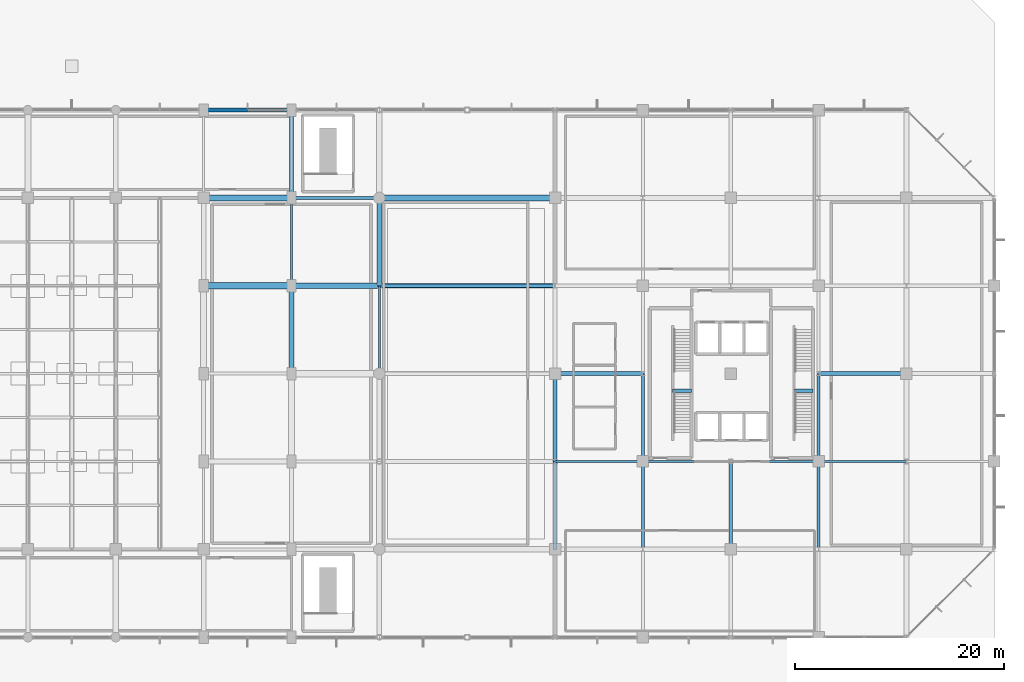
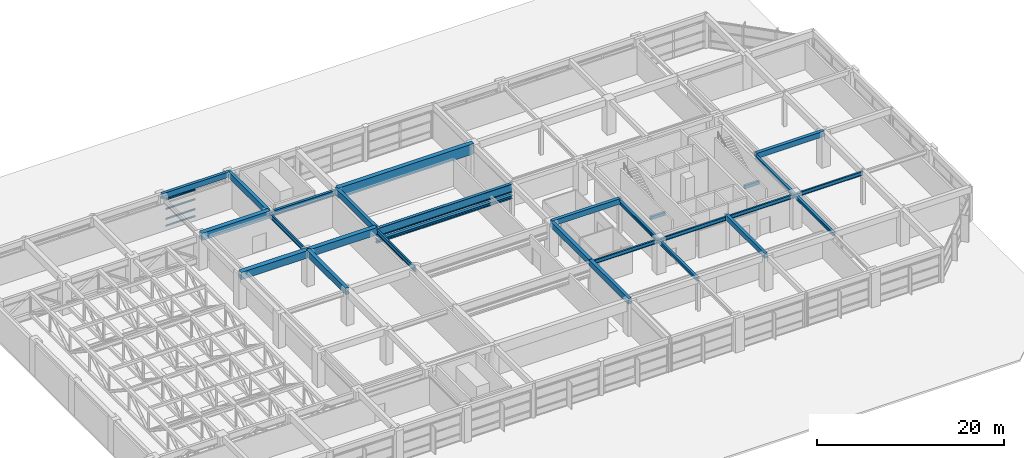
# One storey, part 30 of 47: 27 beams, 5 members, 1 element without a shape of its own.
"""IFC4 building model written with IfcOpenShell, lengths in metres."""

from ifc_helpers import new_model, si_unit, direction, frame, origin, origin_2d, place, context, subcontext, project, spatial, rectangle, i_section, extrude, material, material_profile, profile_set, type_object, element, aggregate, save


model = new_model("IFC4")

# Units and contexts
model_context = context("Model", 3, precision=1e-05, world=origin(), true_north=direction((0.0, 1.0)))
body_context = subcontext(model_context, "Body", "Model", "MODEL_VIEW")
ifc_project = project(units=[si_unit("LENGTHUNIT", "METRE"), si_unit("AREAUNIT", "SQUARE_METRE"), si_unit("VOLUMEUNIT", "CUBIC_METRE"), si_unit("PLANEANGLEUNIT", "RADIAN"), si_unit("MASSUNIT", "GRAM", prefix="KILO")], contexts=[model_context])

# Site, building, storey
site_placement = place(None, origin())
site = spatial("IfcSite", under=ifc_project, at=site_placement, CompositionType="ELEMENT")
building_placement = place(site_placement, origin())
building = spatial("IfcBuilding", under=site, at=building_placement, Name="Xuanlan Plaza Opera House", CompositionType="ELEMENT")
storey_placement = place(building_placement, frame((0.0, 0.0, 23.39990234375)))
storey = spatial("IfcBuildingStorey", under=building, at=storey_placement, Name="L05", CompositionType="ELEMENT", Elevation=23.39990234375)

# Curtain wall, members
ifc_material_1 = material(Name="Anodised Aluminium 6063-T6 and Low-E Glass", Category="aluminium")
curtain_wall_type = type_object("IfcCurtainWallType", Name="ENV-CW-CW-06", PredefinedType="USERDEFINED", material=ifc_material_1)
curtain_wall_placement = place(storey_placement, origin())
curtain_wall = element("IfcCurtainWall", 1, at=curtain_wall_placement, inside=storey, type_object=curtain_wall_type, Name="Acoustic Glazed Wall L05-029", ObjectType="ACOUSTIC GLAZED WALL", PredefinedType="USERDEFINED")
ifc_material_2 = material(Name="Anodised Aluminium 6063-T6", Category="aluminium")
ifc_material_profile_1 = material_profile(ifc_material_2, rectangle(XDim=0.090087890625, YDim=0.179931640625, at=origin_2d()), Name="ALU-T 90x180")
ifc_profile_set_1 = profile_set([ifc_material_profile_1], Name="Anodised Aluminium 6063-T6")
member_type_1 = type_object("IfcMemberType", Name="ENV-CWT-05", PredefinedType="USERDEFINED", material=ifc_profile_set_1)
member_1_placement = place(storey_placement, frame((96.5673828125, 84.0, 0.045166015625), z_axis=(-1.0, 0.0, 0.0), x_axis=(0.0, -1.0, 0.0)))
member_1 = element("IfcMember", 2, at=member_1_placement, type_object=member_type_1, Name="CW-06 transom 2.1", ObjectType="TRANSOM", PredefinedType="USERDEFINED", context=body_context, shape_type="SweptSolid", body=[
    extrude(rectangle(XDim=0.090087890625, YDim=0.179931640625, at=origin_2d()), origin(), (0.0, 0.0, 1.0), 3.63232421875),
])
member_2_placement = place(storey_placement, frame((96.5673828125, 84.0, 0.9501953125), z_axis=(-1.0, 0.0, 0.0), x_axis=(0.0, -1.0, 0.0)))
member_2 = element("IfcMember", 3, at=member_2_placement, type_object=member_type_1, Name="CW-06 transom 2.2", ObjectType="TRANSOM", PredefinedType="USERDEFINED", context=body_context, shape_type="SweptSolid", body=[
    extrude(rectangle(XDim=0.090087890625, YDim=0.179931640625, at=origin_2d()), origin(), (0.0, 0.0, 1.0), 3.63232421875),
])
member_3_placement = place(storey_placement, frame((96.5673828125, 84.0, 2.25), z_axis=(-1.0, 0.0, 0.0), x_axis=(0.0, -1.0, 0.0)))
member_3 = element("IfcMember", 4, at=member_3_placement, type_object=member_type_1, Name="CW-06 transom 2.3", ObjectType="TRANSOM", PredefinedType="USERDEFINED", context=body_context, shape_type="SweptSolid", body=[
    extrude(rectangle(XDim=0.090087890625, YDim=0.179931640625, at=origin_2d()), origin(), (0.0, 0.0, 1.0), 3.63232421875),
])
member_4_placement = place(storey_placement, frame((96.5673828125, 84.0, 3.4951171875), z_axis=(-1.0, 0.0, 0.0), x_axis=(0.0, -1.0, 0.0)))
member_4 = element("IfcMember", 5, at=member_4_placement, type_object=member_type_1, Name="CW-06 transom 2.4", ObjectType="TRANSOM", PredefinedType="USERDEFINED", context=body_context, shape_type="SweptSolid", body=[
    extrude(rectangle(XDim=0.090087890625, YDim=0.179931640625, at=origin_2d()), origin(), (0.0, 0.0, 1.0), 3.63232421875),
])
aggregate(curtain_wall, [member_1, member_2, member_3, member_4])

# Beams
ifc_material_3 = material(Name="Concrete C50", Category="concrete")
ifc_material_profile_2 = material_profile(ifc_material_3, rectangle(XDim=0.60009765625, YDim=0.949951171875, at=origin_2d()), Name="RC-BM 600x950")
ifc_profile_set_2 = profile_set([ifc_material_profile_2], Name="Concrete C50")
beam_type_1 = type_object("IfcBeamType", Name="STR-BM-B-01", PredefinedType="BEAM", material=ifc_profile_set_2)
beam_1_placement = place(storey_placement, frame((92.39990234375, 67.199951171875, 4.025146484375), z_axis=(1.0, 0.0, 0.0), x_axis=(0.0, 1.0, 0.0)))
element("IfcBeam", 6, at=beam_1_placement, inside=storey, type_object=beam_type_1, Name="Grid Beam X L05 12-13/I", PredefinedType="BEAM", context=body_context, shape_type="SweptSolid", body=[
    extrude(rectangle(XDim=0.60009765625, YDim=0.949951171875, at=origin_2d()), origin(), (0.0, 0.0, 1.0), 8.400146484375),
])
ifc_material_profile_3 = material_profile(ifc_material_3, rectangle(XDim=0.550048828125, YDim=0.949951171875, at=origin_2d()), Name="RC-BM 550x950")
ifc_profile_set_3 = profile_set([ifc_material_profile_3], Name="Concrete C50")
beam_type_2 = type_object("IfcBeamType", Name="STR-BM-B-02", PredefinedType="BEAM", material=ifc_profile_set_3)
beam_2_placement = place(storey_placement, frame((100.800048828125, 67.199951171875, 4.025146484375), z_axis=(1.0, 0.0, 0.0), x_axis=(0.0, 1.0, 0.0)))
element("IfcBeam", 7, at=beam_2_placement, inside=storey, type_object=beam_type_2, Name="Grid Beam X L05 13-14/I", PredefinedType="BEAM", context=body_context, shape_type="SweptSolid", body=[
    extrude(rectangle(XDim=0.550048828125, YDim=0.949951171875, at=origin_2d()), origin(), (0.0, 0.0, 1.0), 8.39990234375),
])
beam_3_placement = place(storey_placement, frame((92.39990234375, 75.60009765625, 4.025146484375), z_axis=(1.0, 0.0, 0.0), x_axis=(0.0, 1.0, 0.0)))
element("IfcBeam", 8, at=beam_3_placement, inside=storey, type_object=beam_type_2, Name="Grid Beam X L05 12-13/J", PredefinedType="BEAM", context=body_context, shape_type="SweptSolid", body=[
    extrude(rectangle(XDim=0.550048828125, YDim=0.949951171875, at=origin_2d()), origin(), (0.0, 0.0, 1.0), 8.400146484375),
])
ifc_material_4 = material(Name="Concrete C40", Category="concrete")
ifc_material_profile_4 = material_profile(ifc_material_4, rectangle(XDim=0.449951171875, YDim=0.85009765625, at=origin_2d()), Name="RC-BM 450x850")
ifc_profile_set_4 = profile_set([ifc_material_profile_4], Name="Concrete C40")
beam_type_3 = type_object("IfcBeamType", Name="STR-BM-B-04", PredefinedType="BEAM", material=ifc_profile_set_4)
beam_4_placement = place(storey_placement, frame((100.800048828125, 58.800048828125, 4.0751953125), z_axis=(0.0, 1.0, 0.0), x_axis=(-1.0, 0.0, 0.0)))
element("IfcBeam", 9, at=beam_4_placement, inside=storey, type_object=beam_type_3, Name="Grid Beam Y L05 13/H-I", PredefinedType="BEAM", context=body_context, shape_type="SweptSolid", body=[
    extrude(rectangle(XDim=0.449951171875, YDim=0.85009765625, at=origin_2d()), origin(), (0.0, 0.0, 1.0), 8.39990234375),
])
ifc_material_profile_5 = material_profile(ifc_material_4, rectangle(XDim=0.39990234375, YDim=0.75, at=origin_2d()), Name="RC-BM 400x750")
ifc_profile_set_5 = profile_set([ifc_material_profile_5], Name="Concrete C40")
beam_type_4 = type_object("IfcBeamType", Name="STR-BM-B-06", PredefinedType="BEAM", material=ifc_profile_set_5)
beam_5_placement = place(storey_placement, frame((100.800048828125, 75.60009765625, 4.125), z_axis=(0.0, 1.0, 0.0), x_axis=(-1.0, 0.0, 0.0)))
element("IfcBeam", 10, at=beam_5_placement, inside=storey, type_object=beam_type_4, Name="Grid Beam Y L05 13/J-K", PredefinedType="BEAM", context=body_context, shape_type="SweptSolid", body=[
    extrude(rectangle(XDim=0.39990234375, YDim=0.75, at=origin_2d()), origin(), (0.0, 0.0, 1.0), 8.39990234375),
])
beam_6_placement = place(storey_placement, frame((109.199951171875, 67.199951171875, 4.125), z_axis=(0.0, 1.0, 0.0), x_axis=(-1.0, 0.0, 0.0)))
element("IfcBeam", 11, at=beam_6_placement, inside=storey, type_object=beam_type_4, Name="Grid Beam Y L05 14/I-J", PredefinedType="BEAM", context=body_context, shape_type="SweptSolid", body=[
    extrude(rectangle(XDim=0.39990234375, YDim=0.75, at=origin_2d()), origin(), (0.0, 0.0, 1.0), 8.400146484375),
])
beam_7_placement = place(storey_placement, frame((126.0, 42.0, 4.125), z_axis=(0.0, 1.0, 0.0), x_axis=(-1.0, 0.0, 0.0)))
element("IfcBeam", 12, at=beam_7_placement, inside=storey, type_object=beam_type_4, Name="Grid Beam Y L05 16/F-G", PredefinedType="BEAM", context=body_context, shape_type="SweptSolid", body=[
    extrude(rectangle(XDim=0.39990234375, YDim=0.75, at=origin_2d()), origin(), (0.0, 0.0, 1.0), 8.39990234375),
])
beam_8_placement = place(storey_placement, frame((126.0, 50.39990234375, 4.125), z_axis=(0.0, 1.0, 0.0), x_axis=(-1.0, 0.0, 0.0)))
element("IfcBeam", 13, at=beam_8_placement, inside=storey, type_object=beam_type_4, Name="Grid Beam Y L05 16/G-H", PredefinedType="BEAM", context=body_context, shape_type="SweptSolid", body=[
    extrude(rectangle(XDim=0.39990234375, YDim=0.75, at=origin_2d()), origin(), (0.0, 0.0, 1.0), 8.400146484375),
])
ifc_material_profile_6 = material_profile(ifc_material_4, rectangle(XDim=0.39990234375, YDim=0.699951171875, at=origin_2d()), Name="RC-BM 400x700")
ifc_profile_set_6 = profile_set([ifc_material_profile_6], Name="Concrete C40")
beam_type_5 = type_object("IfcBeamType", Name="STR-BM-B-07", PredefinedType="BEAM", material=ifc_profile_set_6)
beam_9_placement = place(storey_placement, frame((126.0, 58.800048828125, 4.150146484375), z_axis=(1.0, 0.0, 0.0), x_axis=(0.0, 1.0, 0.0)))
element("IfcBeam", 14, at=beam_9_placement, inside=storey, type_object=beam_type_5, Name="Grid Beam X L05 16-17/H", PredefinedType="BEAM", context=body_context, shape_type="SweptSolid", body=[
    extrude(rectangle(XDim=0.39990234375, YDim=0.699951171875, at=origin_2d()), origin(), (0.0, 0.0, 1.0), 8.39990234375),
])
beam_10_placement = place(storey_placement, frame((151.199951171875, 58.800048828125, 4.150146484375), z_axis=(1.0, 0.0, 0.0), x_axis=(0.0, 1.0, 0.0)))
element("IfcBeam", 15, at=beam_10_placement, inside=storey, type_object=beam_type_5, Name="Grid Beam X L05 19-20/H", PredefinedType="BEAM", context=body_context, shape_type="SweptSolid", body=[
    extrude(rectangle(XDim=0.39990234375, YDim=0.699951171875, at=origin_2d()), origin(), (0.0, 0.0, 1.0), 8.400146484375),
])
ifc_material_profile_7 = material_profile(ifc_material_4, rectangle(XDim=0.35009765625, YDim=0.64990234375, at=origin_2d()), Name="RC-BM 350x650")
ifc_profile_set_7 = profile_set([ifc_material_profile_7], Name="Concrete C40")
beam_type_6 = type_object("IfcBeamType", Name="STR-BM-B-08", PredefinedType="BEAM", material=ifc_profile_set_7)
beam_11_placement = place(storey_placement, frame((142.800048828125, 42.0, 4.175048828125), z_axis=(0.0, 1.0, 0.0), x_axis=(-1.0, 0.0, 0.0)))
element("IfcBeam", 16, at=beam_11_placement, inside=storey, type_object=beam_type_6, Name="Grid Beam Y L05 18/F-G", PredefinedType="BEAM", context=body_context, shape_type="SweptSolid", body=[
    extrude(rectangle(XDim=0.35009765625, YDim=0.64990234375, at=origin_2d()), origin(), (0.0, 0.0, 1.0), 8.39990234375),
])
ifc_material_5 = material(Name="Steel Q390B", Category="steel")
ifc_material_profile_8 = material_profile(ifc_material_5, i_section(OverallWidth=0.35009765625, OverallDepth=1.10009765625, WebThickness=0.01806640625, FlangeThickness=0.031982421875, FilletRadius=0.028076171875, at=origin_2d()), Name="HN 1100x350x18x32")
ifc_profile_set_8 = profile_set([ifc_material_profile_8], Name="Steel Q390B")
beam_type_7 = type_object("IfcBeamType", Name="STR-BM-LG-02", PredefinedType="BEAM", material=ifc_profile_set_8)
beam_12_placement = place(storey_placement, frame((109.199951171875, 67.199951171875, 3.705078125), z_axis=(1.0, 0.0, 0.0), x_axis=(0.0, 1.0, 0.0)))
element("IfcBeam", 17, at=beam_12_placement, inside=storey, type_object=beam_type_7, Name="Grid Beam X L05 14-16/I", PredefinedType="BEAM", context=body_context, shape_type="SweptSolid", body=[
    extrude(i_section(OverallWidth=0.35009765625, OverallDepth=1.10009765625, WebThickness=0.01806640625, FlangeThickness=0.031982421875, FilletRadius=0.028076171875, at=origin_2d()), origin(), (0.0, 0.0, 1.0), 16.800048828125),
])
ifc_material_profile_9 = material_profile(ifc_material_3, rectangle(XDim=0.550048828125, YDim=1.35009765625, at=origin_2d()), Name="RC-SPD 550x1350")
ifc_profile_set_9 = profile_set([ifc_material_profile_9], Name="Concrete C50")
beam_type_8 = type_object("IfcBeamType", Name="STR-BM-LG-SP1", PredefinedType="SPANDREL", material=ifc_profile_set_9)
beam_13_placement = place(storey_placement, frame((109.199951171875, 75.60009765625, 3.8251953125), z_axis=(1.0, 0.0, 0.0), x_axis=(0.0, 1.0, 0.0)))
element("IfcBeam", 18, at=beam_13_placement, inside=storey, type_object=beam_type_8, Name="Grid Beam X L05 14-16/J", PredefinedType="SPANDREL", context=body_context, shape_type="SweptSolid", body=[
    extrude(rectangle(XDim=0.550048828125, YDim=1.35009765625, at=origin_2d()), origin(), (0.0, 0.0, 1.0), 16.800048828125),
])
ifc_material_profile_10 = material_profile(ifc_material_4, rectangle(XDim=0.300048828125, YDim=0.39990234375, at=origin_2d()), Name="RC-LNT 300x400")
ifc_profile_set_10 = profile_set([ifc_material_profile_10], Name="Concrete C40")
beam_type_9 = type_object("IfcBeamType", Name="STR-BM-LN-01", PredefinedType="LINTEL", material=ifc_profile_set_10)
beam_14_placement = place(storey_placement, frame((137.25, 57.159912109375, 1.85009765625), z_axis=(1.0, 0.0, 0.0), x_axis=(0.0, 1.0, 0.0)))
element("IfcBeam", 19, at=beam_14_placement, inside=storey, type_object=beam_type_9, Name="Stair Mid-Landing Trimmer Beam ST-T1 L05", PredefinedType="LINTEL", context=body_context, shape_type="SweptSolid", body=[
    extrude(rectangle(XDim=0.300048828125, YDim=0.39990234375, at=origin_2d()), origin(), (0.0, 0.0, 1.0), 1.800048828125),
])
beam_15_placement = place(storey_placement, frame((148.85009765625, 57.159912109375, 1.85009765625), z_axis=(1.0, 0.0, 0.0), x_axis=(0.0, 1.0, 0.0)))
element("IfcBeam", 20, at=beam_15_placement, inside=storey, type_object=beam_type_9, Name="Stair Mid-Landing Trimmer Beam ST-T2 L05", PredefinedType="LINTEL", context=body_context, shape_type="SweptSolid", body=[
    extrude(rectangle(XDim=0.300048828125, YDim=0.39990234375, at=origin_2d()), origin(), (0.0, 0.0, 1.0), 1.7998046875),
])
ifc_material_6 = material(Name="Steel Q355B", Category="steel")
ifc_material_profile_11 = material_profile(ifc_material_6, i_section(OverallWidth=0.300048828125, OverallDepth=0.699951171875, WebThickness=0.012939453125, FlangeThickness=0.02392578125, FilletRadius=0.02392578125, at=origin_2d()), Name="HN 700x300x13x24")
ifc_profile_set_11 = profile_set([ifc_material_profile_11], Name="Steel Q355B")
beam_type_10 = type_object("IfcBeamType", Name="STR-BM-SB-03", PredefinedType="BEAM", material=ifc_profile_set_11)
beam_16_placement = place(storey_placement, frame((100.800048828125, 75.60009765625, 3.905029296875), z_axis=(1.0, 0.0, 0.0), x_axis=(0.0, 1.0, 0.0)))
element("IfcBeam", 21, at=beam_16_placement, inside=storey, type_object=beam_type_10, Name="Grid Beam X L05 13-14/J", PredefinedType="BEAM", context=body_context, shape_type="SweptSolid", body=[
    extrude(i_section(OverallWidth=0.300048828125, OverallDepth=0.699951171875, WebThickness=0.012939453125, FlangeThickness=0.02392578125, FilletRadius=0.02392578125, at=origin_2d()), origin(), (0.0, 0.0, 1.0), 8.39990234375),
])
ifc_material_profile_12 = material_profile(ifc_material_6, i_section(OverallWidth=0.199951171875, OverallDepth=0.60009765625, WebThickness=0.010986328125, FlangeThickness=0.01708984375, FilletRadius=0.02197265625, at=origin_2d()), Name="HN 600x200x11x17")
ifc_profile_set_12 = profile_set([ifc_material_profile_12], Name="Steel Q355B")
beam_type_11 = type_object("IfcBeamType", Name="STR-BM-SB-04", PredefinedType="BEAM", material=ifc_profile_set_12)
beam_17_placement = place(storey_placement, frame((100.800048828125, 67.199951171875, 3.955078125), z_axis=(0.0, 1.0, 0.0), x_axis=(-1.0, 0.0, 0.0)))
element("IfcBeam", 22, at=beam_17_placement, inside=storey, type_object=beam_type_11, Name="Grid Beam Y L05 13/I-J", PredefinedType="BEAM", context=body_context, shape_type="SweptSolid", body=[
    extrude(i_section(OverallWidth=0.199951171875, OverallDepth=0.60009765625, WebThickness=0.010986328125, FlangeThickness=0.01708984375, FilletRadius=0.02197265625, at=origin_2d()), origin(), (0.0, 0.0, 1.0), 8.400146484375),
])
beam_18_placement = place(storey_placement, frame((109.199951171875, 58.800048828125, 3.955078125), z_axis=(0.0, 1.0, 0.0), x_axis=(-1.0, 0.0, 0.0)))
element("IfcBeam", 23, at=beam_18_placement, inside=storey, type_object=beam_type_11, Name="Grid Beam Y L05 14/H-I", PredefinedType="BEAM", context=body_context, shape_type="SweptSolid", body=[
    extrude(i_section(OverallWidth=0.199951171875, OverallDepth=0.60009765625, WebThickness=0.010986328125, FlangeThickness=0.01708984375, FilletRadius=0.02197265625, at=origin_2d()), origin(), (0.0, 0.0, 1.0), 8.39990234375),
])
ifc_material_profile_13 = material_profile(ifc_material_6, i_section(OverallWidth=0.199951171875, OverallDepth=0.5, WebThickness=0.010009765625, FlangeThickness=0.01611328125, FilletRadius=0.02001953125, at=origin_2d()), Name="HN 500x200x10x16")
ifc_profile_set_13 = profile_set([ifc_material_profile_13], Name="Steel Q355B")
beam_type_12 = type_object("IfcBeamType", Name="STR-BM-SB-05", PredefinedType="BEAM", material=ifc_profile_set_13)
beam_19_placement = place(storey_placement, frame((126.0, 50.39990234375, 4.005126953125), z_axis=(1.0, 0.0, 0.0), x_axis=(0.0, 1.0, 0.0)))
element("IfcBeam", 24, at=beam_19_placement, inside=storey, type_object=beam_type_12, Name="Grid Beam X L05 16-17/G", PredefinedType="BEAM", context=body_context, shape_type="SweptSolid", body=[
    extrude(i_section(OverallWidth=0.199951171875, OverallDepth=0.5, WebThickness=0.010009765625, FlangeThickness=0.01611328125, FilletRadius=0.02001953125, at=origin_2d()), origin(), (0.0, 0.0, 1.0), 8.39990234375),
])
beam_20_placement = place(storey_placement, frame((134.39990234375, 50.39990234375, 4.005126953125), z_axis=(1.0, 0.0, 0.0), x_axis=(0.0, 1.0, 0.0)))
element("IfcBeam", 25, at=beam_20_placement, inside=storey, type_object=beam_type_12, Name="Grid Beam X L05 17-18/G", PredefinedType="BEAM", context=body_context, shape_type="SweptSolid", body=[
    extrude(i_section(OverallWidth=0.199951171875, OverallDepth=0.5, WebThickness=0.010009765625, FlangeThickness=0.01611328125, FilletRadius=0.02001953125, at=origin_2d()), origin(), (0.0, 0.0, 1.0), 8.400146484375),
])
beam_21_placement = place(storey_placement, frame((142.800048828125, 50.39990234375, 4.005126953125), z_axis=(1.0, 0.0, 0.0), x_axis=(0.0, 1.0, 0.0)))
element("IfcBeam", 26, at=beam_21_placement, inside=storey, type_object=beam_type_12, Name="Grid Beam X L05 18-19/G", PredefinedType="BEAM", context=body_context, shape_type="SweptSolid", body=[
    extrude(i_section(OverallWidth=0.199951171875, OverallDepth=0.5, WebThickness=0.010009765625, FlangeThickness=0.01611328125, FilletRadius=0.02001953125, at=origin_2d()), origin(), (0.0, 0.0, 1.0), 8.39990234375),
])
beam_22_placement = place(storey_placement, frame((151.199951171875, 50.39990234375, 4.005126953125), z_axis=(1.0, 0.0, 0.0), x_axis=(0.0, 1.0, 0.0)))
element("IfcBeam", 27, at=beam_22_placement, inside=storey, type_object=beam_type_12, Name="Grid Beam X L05 19-20/G", PredefinedType="BEAM", context=body_context, shape_type="SweptSolid", body=[
    extrude(i_section(OverallWidth=0.199951171875, OverallDepth=0.5, WebThickness=0.010009765625, FlangeThickness=0.01611328125, FilletRadius=0.02001953125, at=origin_2d()), origin(), (0.0, 0.0, 1.0), 8.400146484375),
])
ifc_material_profile_14 = material_profile(ifc_material_6, i_section(OverallWidth=0.300048828125, OverallDepth=0.488037109375, WebThickness=0.010986328125, FlangeThickness=0.01806640625, FilletRadius=0.02197265625, at=origin_2d()), Name="HM 488x300x11x18")
ifc_profile_set_14 = profile_set([ifc_material_profile_14], Name="Steel Q355B")
beam_type_13 = type_object("IfcBeamType", Name="STR-BM-SB-07", PredefinedType="BEAM", material=ifc_profile_set_14)
beam_23_placement = place(storey_placement, frame((134.39990234375, 42.0, 4.010986328125), z_axis=(0.0, 1.0, 0.0), x_axis=(-1.0, 0.0, 0.0)))
element("IfcBeam", 28, at=beam_23_placement, inside=storey, type_object=beam_type_13, Name="Grid Beam Y L05 17/F-G", PredefinedType="BEAM", context=body_context, shape_type="SweptSolid", body=[
    extrude(i_section(OverallWidth=0.300048828125, OverallDepth=0.488037109375, WebThickness=0.010986328125, FlangeThickness=0.01806640625, FilletRadius=0.02197265625, at=origin_2d()), origin(), (0.0, 0.0, 1.0), 8.39990234375),
])
beam_24_placement = place(storey_placement, frame((134.39990234375, 50.39990234375, 4.010986328125), z_axis=(0.0, 1.0, 0.0), x_axis=(-1.0, 0.0, 0.0)))
element("IfcBeam", 29, at=beam_24_placement, inside=storey, type_object=beam_type_13, Name="Grid Beam Y L05 17/G-H", PredefinedType="BEAM", context=body_context, shape_type="SweptSolid", body=[
    extrude(i_section(OverallWidth=0.300048828125, OverallDepth=0.488037109375, WebThickness=0.010986328125, FlangeThickness=0.01806640625, FilletRadius=0.02197265625, at=origin_2d()), origin(), (0.0, 0.0, 1.0), 8.400146484375),
])
ifc_material_profile_15 = material_profile(ifc_material_6, i_section(OverallWidth=0.300048828125, OverallDepth=0.43994140625, WebThickness=0.010986328125, FlangeThickness=0.01806640625, FilletRadius=0.02001953125, at=origin_2d()), Name="HM 440x300x11x18")
ifc_profile_set_15 = profile_set([ifc_material_profile_15], Name="Steel Q355B")
beam_type_14 = type_object("IfcBeamType", Name="STR-BM-SB-08", PredefinedType="BEAM", material=ifc_profile_set_15)
beam_25_placement = place(storey_placement, frame((151.199951171875, 42.0, 4.03515625), z_axis=(0.0, 1.0, 0.0), x_axis=(-1.0, 0.0, 0.0)))
element("IfcBeam", 30, at=beam_25_placement, inside=storey, type_object=beam_type_14, Name="Grid Beam Y L05 19/F-G", PredefinedType="BEAM", context=body_context, shape_type="SweptSolid", body=[
    extrude(i_section(OverallWidth=0.300048828125, OverallDepth=0.43994140625, WebThickness=0.010986328125, FlangeThickness=0.01806640625, FilletRadius=0.02001953125, at=origin_2d()), origin(), (0.0, 0.0, 1.0), 8.39990234375),
])
beam_26_placement = place(storey_placement, frame((151.199951171875, 50.39990234375, 4.03515625), z_axis=(0.0, 1.0, 0.0), x_axis=(-1.0, 0.0, 0.0)))
element("IfcBeam", 31, at=beam_26_placement, inside=storey, type_object=beam_type_14, Name="Grid Beam Y L05 19/G-H", PredefinedType="BEAM", context=body_context, shape_type="SweptSolid", body=[
    extrude(i_section(OverallWidth=0.300048828125, OverallDepth=0.43994140625, WebThickness=0.010986328125, FlangeThickness=0.01806640625, FilletRadius=0.02001953125, at=origin_2d()), origin(), (0.0, 0.0, 1.0), 8.400146484375),
])
ifc_material_profile_16 = material_profile(ifc_material_4, rectangle(XDim=0.35009765625, YDim=0.699951171875, at=origin_2d()), Name="RC-SPD 350x700")
ifc_profile_set_16 = profile_set([ifc_material_profile_16], Name="Concrete C40")
beam_type_15 = type_object("IfcBeamType", Name="STR-BM-SP-02", PredefinedType="SPANDREL", material=ifc_profile_set_16)
beam_27_placement = place(storey_placement, frame((92.39990234375, 84.0, 4.150146484375), z_axis=(1.0, 0.0, 0.0), x_axis=(0.0, 1.0, 0.0)))
element("IfcBeam", 32, at=beam_27_placement, inside=storey, type_object=beam_type_15, Name="Grid Beam X L05 12-13/K", PredefinedType="SPANDREL", context=body_context, shape_type="SweptSolid", body=[
    extrude(rectangle(XDim=0.35009765625, YDim=0.699951171875, at=origin_2d()), origin(), (0.0, 0.0, 1.0), 8.400146484375),
])

# Member
ifc_material_profile_17 = material_profile(ifc_material_5, i_section(OverallWidth=0.39990234375, OverallDepth=0.39990234375, WebThickness=0.012939453125, FlangeThickness=0.02099609375, FilletRadius=0.02197265625, at=origin_2d()), Name="HW 400x400x13x21")
ifc_profile_set_17 = profile_set([ifc_material_profile_17], Name="Steel Q390B")
member_type_2 = type_object("IfcMemberType", Name="STR-MEM-ATC-01", PredefinedType="CHORD", material=ifc_profile_set_17)
member_5_placement = place(storey_placement, frame((109.199951171875, 67.199951171875, 2.55517578125), z_axis=(1.0, 0.0, 0.0), x_axis=(0.0, 1.0, 0.0)))
element("IfcMember", 33, at=member_5_placement, inside=storey, type_object=member_type_2, Name="Atrium Truss Bottom Chord L05 Grid I", PredefinedType="CHORD", context=body_context, shape_type="SweptSolid", body=[
    extrude(i_section(OverallWidth=0.39990234375, OverallDepth=0.39990234375, WebThickness=0.012939453125, FlangeThickness=0.02099609375, FilletRadius=0.02197265625, at=origin_2d()), origin(), (0.0, 0.0, 1.0), 16.800048828125),
])

save(model, "model.ifc")
